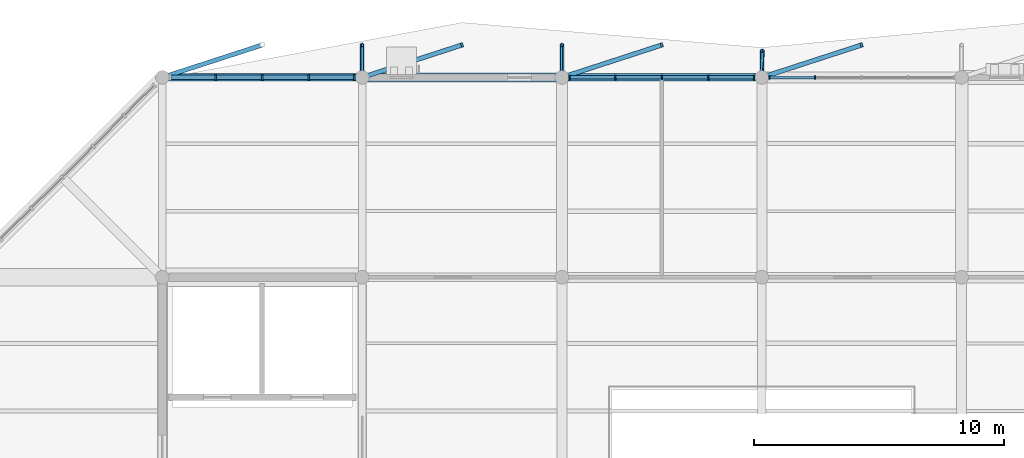
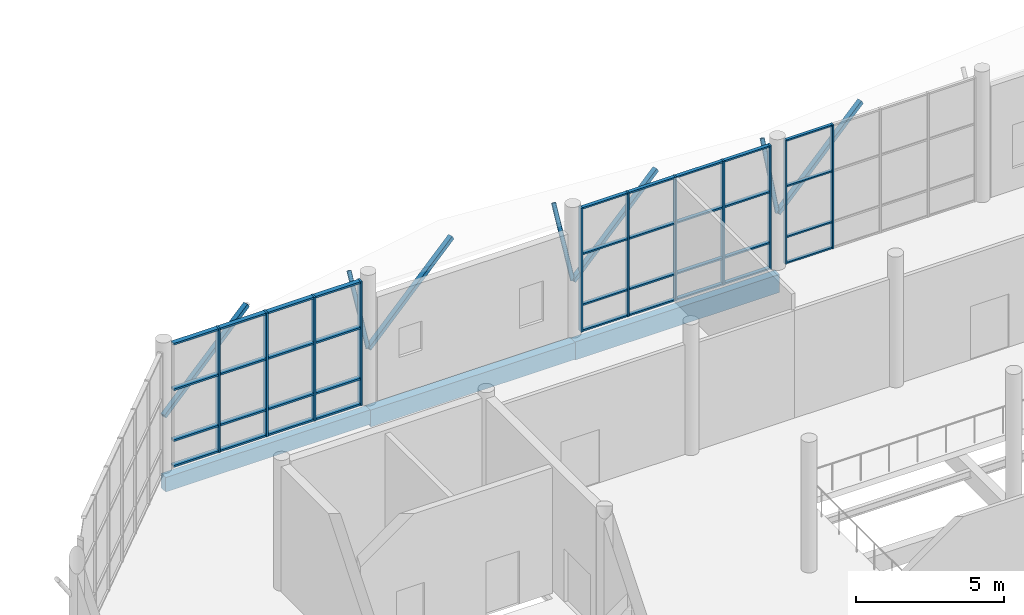
# One storey, part 49 of 122: 54 members, 3 beams, 3 elements without a shape of their own.
"""IFC4 building model written with IfcOpenShell, lengths in metres."""

from ifc_helpers import new_model, si_unit, direction, frame, origin, origin_2d, place, context, subcontext, project, spatial, rectangle, hollow_rectangle, hollow_circle, extrude, material, material_profile, profile_set, type_object, element, aggregate, save


model = new_model("IFC4")

# Units and contexts
model_context = context("Model", 3, precision=1e-05, world=origin(), true_north=direction((0.0, 1.0)))
body_context = subcontext(model_context, "Body", "Model", "MODEL_VIEW")
ifc_project = project(units=[si_unit("LENGTHUNIT", "METRE"), si_unit("AREAUNIT", "SQUARE_METRE"), si_unit("VOLUMEUNIT", "CUBIC_METRE"), si_unit("PLANEANGLEUNIT", "RADIAN"), si_unit("MASSUNIT", "GRAM", prefix="KILO")], contexts=[model_context])

# Site, building, storey
site_placement = place(None, origin())
site = spatial("IfcSite", under=ifc_project, at=site_placement, CompositionType="ELEMENT")
building_placement = place(site_placement, origin())
building = spatial("IfcBuilding", under=site, at=building_placement, Name="Tenunan Teduh Sports Hall", CompositionType="ELEMENT")
storey_placement = place(building_placement, frame((0.0, 0.0, 5.39990234375)))
storey = spatial("IfcBuildingStorey", under=building, at=storey_placement, Name="L01", CompositionType="ELEMENT", Elevation=5.39990234375)

# Beams
ifc_material_1 = material(Name="Concrete C40/50", Category="concrete")
ifc_material_profile_1 = material_profile(ifc_material_1, rectangle(XDim=0.300048828125, YDim=0.60009765625, at=origin_2d()), Name="RCB 300x600")
ifc_profile_set_1 = profile_set([ifc_material_profile_1], Name="Concrete C40/50")
beam_type_1 = type_object("IfcBeamType", Name="BM-RC-300x600", PredefinedType="BEAM", material=ifc_profile_set_1)
beam_1_placement = place(storey_placement, frame((106.0, 118.0, -0.559814453125), z_axis=(1.0, 0.0, 0.0), x_axis=(0.0, 1.0, 0.0)))
element("IfcBeam", 1, at=beam_1_placement, inside=storey, type_object=beam_type_1, Name="BM-B-03-L01-1179", PredefinedType="BEAM", context=body_context, shape_type="SweptSolid", body=[
    extrude(rectangle(XDim=0.300048828125, YDim=0.60009765625, at=origin_2d()), origin(), (0.0, 0.0, 1.0), 8.0),
])
ifc_material_2 = material(Name="Concrete C40/50", Category="concrete")
ifc_material_profile_2 = material_profile(ifc_material_2, rectangle(XDim=0.35009765625, YDim=0.699951171875, at=origin_2d()), Name="RCB 350x700")
ifc_profile_set_2 = profile_set([ifc_material_profile_2], Name="Concrete C40/50")
beam_type_2 = type_object("IfcBeamType", Name="BM-RC-350x700", PredefinedType="BEAM", material=ifc_profile_set_2)
beam_2_placement = place(storey_placement, frame((114.0, 118.0, -0.60986328125), z_axis=(1.0, 0.0, 0.0), x_axis=(0.0, 1.0, 0.0)))
element("IfcBeam", 2, at=beam_2_placement, inside=storey, type_object=beam_type_2, Name="BM-B-06-L01-1180", PredefinedType="BEAM", context=body_context, shape_type="SweptSolid", body=[
    extrude(rectangle(XDim=0.35009765625, YDim=0.699951171875, at=origin_2d()), origin(), (0.0, 0.0, 1.0), 8.0),
])
ifc_material_3 = material(Name="Concrete C40/50", Category="concrete")
ifc_material_profile_3 = material_profile(ifc_material_3, rectangle(XDim=0.300048828125, YDim=0.75, at=origin_2d()), Name="SPB 300x750")
ifc_profile_set_3 = profile_set([ifc_material_profile_3], Name="Concrete C40/50")
beam_type_3 = type_object("IfcBeamType", Name="BM-SP-300x750", PredefinedType="SPANDREL", material=ifc_profile_set_3)
beam_3_placement = place(storey_placement, frame((122.0, 118.0, -0.635009765625), z_axis=(1.0, 0.0, 0.0), x_axis=(0.0, 1.0, 0.0)))
element("IfcBeam", 3, at=beam_3_placement, inside=storey, type_object=beam_type_3, Name="BM-SP-01-L01-1181", PredefinedType="SPANDREL", context=body_context, shape_type="SweptSolid", body=[
    extrude(rectangle(XDim=0.300048828125, YDim=0.75, at=origin_2d()), origin(), (0.0, 0.0, 1.0), 8.0),
])

# Curtain wall, members
ifc_material_4 = material(Name="Anodised aluminium", Category="aluminium")
curtain_wall_type = type_object("IfcCurtainWallType", Name="CW-UNIT-1", PredefinedType="NOTDEFINED", material=ifc_material_4)
curtain_wall_1_placement = place(storey_placement, origin())
curtain_wall_1 = element("IfcCurtainWall", 4, at=curtain_wall_1_placement, inside=storey, type_object=curtain_wall_type, Name="CW-CWM-150-L01-251", PredefinedType="NOTDEFINED")
ifc_material_5 = material(Name="Anodised aluminium", Category="aluminium")
ifc_material_profile_4 = material_profile(ifc_material_5, rectangle(XDim=0.06005859375, YDim=0.14990234375, at=origin_2d()), Name="CWM 60x150")
ifc_profile_set_4 = profile_set([ifc_material_profile_4], Name="Anodised aluminium")
member_type_1 = type_object("IfcMemberType", Name="CWM-150", PredefinedType="MULLION", material=ifc_profile_set_4)
member_1_placement = place(storey_placement, frame((130.304931640625, 118.0, 0.0), z_axis=(0.0, 0.0, 1.0), x_axis=(1.0, 0.0, 0.0)))
member_1 = element("IfcMember", 5, at=member_1_placement, type_object=member_type_1, Name="CW-01 mullion 1", PredefinedType="MULLION", context=body_context, shape_type="SweptSolid", body=[
    extrude(rectangle(XDim=0.06005859375, YDim=0.14990234375, at=origin_2d()), origin(), (0.0, 0.0, 1.0), 5.1201171875),
])
member_2_placement = place(storey_placement, frame((132.137451171875, 118.0, 0.0), z_axis=(0.0, 0.0, 1.0), x_axis=(1.0, 0.0, 0.0)))
member_2 = element("IfcMember", 6, at=member_2_placement, type_object=member_type_1, Name="CW-01 mullion 2", PredefinedType="MULLION", context=body_context, shape_type="SweptSolid", body=[
    extrude(rectangle(XDim=0.06005859375, YDim=0.14990234375, at=origin_2d()), origin(), (0.0, 0.0, 1.0), 5.1201171875),
])

curtain_wall_2_placement = place(storey_placement, origin())
curtain_wall_2 = element("IfcCurtainWall", 7, at=curtain_wall_2_placement, inside=storey, type_object=curtain_wall_type, Name="CW-CWM-175-L01-250", PredefinedType="NOTDEFINED")
ifc_material_6 = material(Name="Anodised aluminium", Category="aluminium")
ifc_material_profile_5 = material_profile(ifc_material_6, rectangle(XDim=0.06494140625, YDim=0.175048828125, at=origin_2d()), Name="CWM 65x175")
ifc_profile_set_5 = profile_set([ifc_material_profile_5], Name="Anodised aluminium")
member_type_2 = type_object("IfcMemberType", Name="CWM-175", PredefinedType="MULLION", material=ifc_profile_set_5)
member_3_placement = place(storey_placement, frame((122.3076171875, 118.0, 0.0), z_axis=(0.0, 0.0, 1.0), x_axis=(1.0, 0.0, 0.0)))
member_3 = element("IfcMember", 8, at=member_3_placement, type_object=member_type_2, Name="CW-01 mullion 1", PredefinedType="MULLION", context=body_context, shape_type="SweptSolid", body=[
    extrude(rectangle(XDim=0.06494140625, YDim=0.175048828125, at=origin_2d()), origin(), (0.0, 0.0, 1.0), 5.1201171875),
])
member_4_placement = place(storey_placement, frame((124.137451171875, 118.0, 0.0), z_axis=(0.0, 0.0, 1.0), x_axis=(1.0, 0.0, 0.0)))
member_4 = element("IfcMember", 9, at=member_4_placement, type_object=member_type_2, Name="CW-01 mullion 2", PredefinedType="MULLION", context=body_context, shape_type="SweptSolid", body=[
    extrude(rectangle(XDim=0.06494140625, YDim=0.175048828125, at=origin_2d()), origin(), (0.0, 0.0, 1.0), 5.1201171875),
])
member_5_placement = place(storey_placement, frame((126.0, 118.0, 0.0), z_axis=(0.0, 0.0, 1.0), x_axis=(1.0, 0.0, 0.0)))
member_5 = element("IfcMember", 10, at=member_5_placement, type_object=member_type_2, Name="CW-01 mullion 3", PredefinedType="MULLION", context=body_context, shape_type="SweptSolid", body=[
    extrude(rectangle(XDim=0.06494140625, YDim=0.175048828125, at=origin_2d()), origin(), (0.0, 0.0, 1.0), 5.1201171875),
])
member_6_placement = place(storey_placement, frame((127.862548828125, 118.0, 0.0), z_axis=(0.0, 0.0, 1.0), x_axis=(1.0, 0.0, 0.0)))
member_6 = element("IfcMember", 11, at=member_6_placement, type_object=member_type_2, Name="CW-01 mullion 4", PredefinedType="MULLION", context=body_context, shape_type="SweptSolid", body=[
    extrude(rectangle(XDim=0.06494140625, YDim=0.175048828125, at=origin_2d()), origin(), (0.0, 0.0, 1.0), 5.1201171875),
])
member_7_placement = place(storey_placement, frame((129.6923828125, 118.0, 0.0), z_axis=(0.0, 0.0, 1.0), x_axis=(1.0, 0.0, 0.0)))
member_7 = element("IfcMember", 12, at=member_7_placement, type_object=member_type_2, Name="CW-01 mullion 5", PredefinedType="MULLION", context=body_context, shape_type="SweptSolid", body=[
    extrude(rectangle(XDim=0.06494140625, YDim=0.175048828125, at=origin_2d()), origin(), (0.0, 0.0, 1.0), 5.1201171875),
])

curtain_wall_3_placement = place(storey_placement, origin())
curtain_wall_3 = element("IfcCurtainWall", 13, at=curtain_wall_3_placement, inside=storey, type_object=curtain_wall_type, Name="CW-CWM-220-L01-249", PredefinedType="NOTDEFINED")
ifc_material_7 = material(Name="Anodised aluminium", Category="aluminium")
ifc_material_profile_6 = material_profile(ifc_material_7, rectangle(XDim=0.074951171875, YDim=0.219970703125, at=origin_2d()), Name="CWM 75x220")
ifc_profile_set_6 = profile_set([ifc_material_profile_6], Name="Anodised aluminium")
member_type_3 = type_object("IfcMemberType", Name="CWM-220", PredefinedType="MULLION", material=ifc_profile_set_6)
member_8_placement = place(storey_placement, frame((108.137451171875, 118.0, 0.0), z_axis=(0.0, 0.0, 1.0), x_axis=(1.0, 0.0, 0.0)))
member_8 = element("IfcMember", 14, at=member_8_placement, type_object=member_type_3, Name="CW-01 mullion 2", PredefinedType="MULLION", context=body_context, shape_type="SweptSolid", body=[
    extrude(rectangle(XDim=0.074951171875, YDim=0.219970703125, at=origin_2d()), origin(), (0.0, 0.0, 1.0), 5.1201171875),
])
member_9_placement = place(storey_placement, frame((110.0, 118.0, 0.0), z_axis=(0.0, 0.0, 1.0), x_axis=(1.0, 0.0, 0.0)))
member_9 = element("IfcMember", 15, at=member_9_placement, type_object=member_type_3, Name="CW-01 mullion 3", PredefinedType="MULLION", context=body_context, shape_type="SweptSolid", body=[
    extrude(rectangle(XDim=0.074951171875, YDim=0.219970703125, at=origin_2d()), origin(), (0.0, 0.0, 1.0), 5.1201171875),
])
member_10_placement = place(storey_placement, frame((111.862548828125, 118.0, 0.0), z_axis=(0.0, 0.0, 1.0), x_axis=(1.0, 0.0, 0.0)))
member_10 = element("IfcMember", 16, at=member_10_placement, type_object=member_type_3, Name="CW-01 mullion 4", PredefinedType="MULLION", context=body_context, shape_type="SweptSolid", body=[
    extrude(rectangle(XDim=0.074951171875, YDim=0.219970703125, at=origin_2d()), origin(), (0.0, 0.0, 1.0), 5.1201171875),
])
member_11_placement = place(storey_placement, frame((113.6875, 118.0, 0.0), z_axis=(0.0, 0.0, 1.0), x_axis=(1.0, 0.0, 0.0)))
member_11 = element("IfcMember", 17, at=member_11_placement, type_object=member_type_3, Name="CW-01 mullion 5", PredefinedType="MULLION", context=body_context, shape_type="SweptSolid", body=[
    extrude(rectangle(XDim=0.074951171875, YDim=0.219970703125, at=origin_2d()), origin(), (0.0, 0.0, 1.0), 5.1201171875),
])

# Member
ifc_material_8 = material(Name="Anodised aluminium", Category="aluminium")
ifc_material_profile_7 = material_profile(ifc_material_8, rectangle(XDim=0.06005859375, YDim=0.1201171875, at=origin_2d()), Name="CWT 60x120")
ifc_profile_set_7 = profile_set([ifc_material_profile_7], Name="Anodised aluminium")
member_type_4 = type_object("IfcMemberType", Name="CWT-125", PredefinedType="USERDEFINED", material=ifc_profile_set_7)
member_12_placement = place(storey_placement, frame((130.3349609375, 118.0, 0.030029296875), z_axis=(1.0, 0.0, 0.0), x_axis=(0.0, 0.0, 1.0)))
member_12 = element("IfcMember", 18, at=member_12_placement, type_object=member_type_4, Name="CW-01 transom 1.1", ObjectType="TRANSOM", PredefinedType="USERDEFINED", context=body_context, shape_type="SweptSolid", body=[
    extrude(rectangle(XDim=0.06005859375, YDim=0.1201171875, at=origin_2d()), origin(), (0.0, 0.0, 1.0), 1.7724609375),
])

member_13_placement = place(storey_placement, frame((130.3349609375, 118.0, 1.10009765625), z_axis=(1.0, 0.0, 0.0), x_axis=(0.0, 0.0, 1.0)))
member_13 = element("IfcMember", 19, at=member_13_placement, type_object=member_type_4, Name="CW-01 transom 1.2", ObjectType="TRANSOM", PredefinedType="USERDEFINED", context=body_context, shape_type="SweptSolid", body=[
    extrude(rectangle(XDim=0.06005859375, YDim=0.1201171875, at=origin_2d()), origin(), (0.0, 0.0, 1.0), 1.7724609375),
])

member_14_placement = place(storey_placement, frame((130.3349609375, 118.0, 3.2001953125), z_axis=(1.0, 0.0, 0.0), x_axis=(0.0, 0.0, 1.0)))
member_14 = element("IfcMember", 20, at=member_14_placement, type_object=member_type_4, Name="CW-01 transom 1.3", ObjectType="TRANSOM", PredefinedType="USERDEFINED", context=body_context, shape_type="SweptSolid", body=[
    extrude(rectangle(XDim=0.06005859375, YDim=0.1201171875, at=origin_2d()), origin(), (0.0, 0.0, 1.0), 1.7724609375),
])

member_15_placement = place(storey_placement, frame((130.3349609375, 118.0, 5.090087890625), z_axis=(1.0, 0.0, 0.0), x_axis=(0.0, 0.0, 1.0)))
member_15 = element("IfcMember", 21, at=member_15_placement, type_object=member_type_4, Name="CW-01 transom 1.4", ObjectType="TRANSOM", PredefinedType="USERDEFINED", context=body_context, shape_type="SweptSolid", body=[
    extrude(rectangle(XDim=0.06005859375, YDim=0.1201171875, at=origin_2d()), origin(), (0.0, 0.0, 1.0), 1.7724609375),
])

aggregate(curtain_wall_1, [member_1, member_2, member_12, member_13, member_14, member_15])

ifc_material_9 = material(Name="Anodised aluminium", Category="aluminium")
ifc_material_profile_8 = material_profile(ifc_material_9, rectangle(XDim=0.06494140625, YDim=0.139892578125, at=origin_2d()), Name="CWT 65x140")
ifc_profile_set_8 = profile_set([ifc_material_profile_8], Name="Anodised aluminium")
member_type_5 = type_object("IfcMemberType", Name="CWT-150", PredefinedType="USERDEFINED", material=ifc_profile_set_8)
member_16_placement = place(storey_placement, frame((122.340087890625, 118.0, 0.03271484375), z_axis=(1.0, 0.0, 0.0), x_axis=(0.0, 0.0, 1.0)))
member_16 = element("IfcMember", 22, at=member_16_placement, type_object=member_type_5, Name="CW-01 transom 1.1", ObjectType="TRANSOM", PredefinedType="USERDEFINED", context=body_context, shape_type="SweptSolid", body=[
    extrude(rectangle(XDim=0.06494140625, YDim=0.139892578125, at=origin_2d()), origin(), (0.0, 0.0, 1.0), 1.764892578125),
])

member_17_placement = place(storey_placement, frame((122.340087890625, 118.0, 1.10009765625), z_axis=(1.0, 0.0, 0.0), x_axis=(0.0, 0.0, 1.0)))
member_17 = element("IfcMember", 23, at=member_17_placement, type_object=member_type_5, Name="CW-01 transom 1.2", ObjectType="TRANSOM", PredefinedType="USERDEFINED", context=body_context, shape_type="SweptSolid", body=[
    extrude(rectangle(XDim=0.06494140625, YDim=0.139892578125, at=origin_2d()), origin(), (0.0, 0.0, 1.0), 1.764892578125),
])

member_18_placement = place(storey_placement, frame((122.340087890625, 118.0, 3.2001953125), z_axis=(1.0, 0.0, 0.0), x_axis=(0.0, 0.0, 1.0)))
member_18 = element("IfcMember", 24, at=member_18_placement, type_object=member_type_5, Name="CW-01 transom 1.3", ObjectType="TRANSOM", PredefinedType="USERDEFINED", context=body_context, shape_type="SweptSolid", body=[
    extrude(rectangle(XDim=0.06494140625, YDim=0.139892578125, at=origin_2d()), origin(), (0.0, 0.0, 1.0), 1.764892578125),
])

member_19_placement = place(storey_placement, frame((122.340087890625, 118.0, 5.087646484375), z_axis=(1.0, 0.0, 0.0), x_axis=(0.0, 0.0, 1.0)))
member_19 = element("IfcMember", 25, at=member_19_placement, type_object=member_type_5, Name="CW-01 transom 1.4", ObjectType="TRANSOM", PredefinedType="USERDEFINED", context=body_context, shape_type="SweptSolid", body=[
    extrude(rectangle(XDim=0.06494140625, YDim=0.139892578125, at=origin_2d()), origin(), (0.0, 0.0, 1.0), 1.764892578125),
])

member_20_placement = place(storey_placement, frame((124.169921875, 118.0, 0.03271484375), z_axis=(1.0, 0.0, 0.0), x_axis=(0.0, 0.0, 1.0)))
member_20 = element("IfcMember", 26, at=member_20_placement, type_object=member_type_5, Name="CW-01 transom 2.1", ObjectType="TRANSOM", PredefinedType="USERDEFINED", context=body_context, shape_type="SweptSolid", body=[
    extrude(rectangle(XDim=0.06494140625, YDim=0.139892578125, at=origin_2d()), origin(), (0.0, 0.0, 1.0), 1.797607421875),
])

member_21_placement = place(storey_placement, frame((124.169921875, 118.0, 1.10009765625), z_axis=(1.0, 0.0, 0.0), x_axis=(0.0, 0.0, 1.0)))
member_21 = element("IfcMember", 27, at=member_21_placement, type_object=member_type_5, Name="CW-01 transom 2.2", ObjectType="TRANSOM", PredefinedType="USERDEFINED", context=body_context, shape_type="SweptSolid", body=[
    extrude(rectangle(XDim=0.06494140625, YDim=0.139892578125, at=origin_2d()), origin(), (0.0, 0.0, 1.0), 1.797607421875),
])

member_22_placement = place(storey_placement, frame((124.169921875, 118.0, 3.2001953125), z_axis=(1.0, 0.0, 0.0), x_axis=(0.0, 0.0, 1.0)))
member_22 = element("IfcMember", 28, at=member_22_placement, type_object=member_type_5, Name="CW-01 transom 2.3", ObjectType="TRANSOM", PredefinedType="USERDEFINED", context=body_context, shape_type="SweptSolid", body=[
    extrude(rectangle(XDim=0.06494140625, YDim=0.139892578125, at=origin_2d()), origin(), (0.0, 0.0, 1.0), 1.797607421875),
])

member_23_placement = place(storey_placement, frame((124.169921875, 118.0, 5.087646484375), z_axis=(1.0, 0.0, 0.0), x_axis=(0.0, 0.0, 1.0)))
member_23 = element("IfcMember", 29, at=member_23_placement, type_object=member_type_5, Name="CW-01 transom 2.4", ObjectType="TRANSOM", PredefinedType="USERDEFINED", context=body_context, shape_type="SweptSolid", body=[
    extrude(rectangle(XDim=0.06494140625, YDim=0.139892578125, at=origin_2d()), origin(), (0.0, 0.0, 1.0), 1.797607421875),
])

member_24_placement = place(storey_placement, frame((126.032470703125, 118.0, 0.03271484375), z_axis=(1.0, 0.0, 0.0), x_axis=(0.0, 0.0, 1.0)))
member_24 = element("IfcMember", 30, at=member_24_placement, type_object=member_type_5, Name="CW-01 transom 3.1", ObjectType="TRANSOM", PredefinedType="USERDEFINED", context=body_context, shape_type="SweptSolid", body=[
    extrude(rectangle(XDim=0.06494140625, YDim=0.139892578125, at=origin_2d()), origin(), (0.0, 0.0, 1.0), 1.797607421875),
])

member_25_placement = place(storey_placement, frame((126.032470703125, 118.0, 1.10009765625), z_axis=(1.0, 0.0, 0.0), x_axis=(0.0, 0.0, 1.0)))
member_25 = element("IfcMember", 31, at=member_25_placement, type_object=member_type_5, Name="CW-01 transom 3.2", ObjectType="TRANSOM", PredefinedType="USERDEFINED", context=body_context, shape_type="SweptSolid", body=[
    extrude(rectangle(XDim=0.06494140625, YDim=0.139892578125, at=origin_2d()), origin(), (0.0, 0.0, 1.0), 1.797607421875),
])

member_26_placement = place(storey_placement, frame((126.032470703125, 118.0, 3.2001953125), z_axis=(1.0, 0.0, 0.0), x_axis=(0.0, 0.0, 1.0)))
member_26 = element("IfcMember", 32, at=member_26_placement, type_object=member_type_5, Name="CW-01 transom 3.3", ObjectType="TRANSOM", PredefinedType="USERDEFINED", context=body_context, shape_type="SweptSolid", body=[
    extrude(rectangle(XDim=0.06494140625, YDim=0.139892578125, at=origin_2d()), origin(), (0.0, 0.0, 1.0), 1.797607421875),
])

member_27_placement = place(storey_placement, frame((126.032470703125, 118.0, 5.087646484375), z_axis=(1.0, 0.0, 0.0), x_axis=(0.0, 0.0, 1.0)))
member_27 = element("IfcMember", 33, at=member_27_placement, type_object=member_type_5, Name="CW-01 transom 3.4", ObjectType="TRANSOM", PredefinedType="USERDEFINED", context=body_context, shape_type="SweptSolid", body=[
    extrude(rectangle(XDim=0.06494140625, YDim=0.139892578125, at=origin_2d()), origin(), (0.0, 0.0, 1.0), 1.797607421875),
])

member_28_placement = place(storey_placement, frame((127.89501953125, 118.0, 0.03271484375), z_axis=(1.0, 0.0, 0.0), x_axis=(0.0, 0.0, 1.0)))
member_28 = element("IfcMember", 34, at=member_28_placement, type_object=member_type_5, Name="CW-01 transom 4.1", ObjectType="TRANSOM", PredefinedType="USERDEFINED", context=body_context, shape_type="SweptSolid", body=[
    extrude(rectangle(XDim=0.06494140625, YDim=0.139892578125, at=origin_2d()), origin(), (0.0, 0.0, 1.0), 1.764892578125),
])

member_29_placement = place(storey_placement, frame((127.89501953125, 118.0, 1.10009765625), z_axis=(1.0, 0.0, 0.0), x_axis=(0.0, 0.0, 1.0)))
member_29 = element("IfcMember", 35, at=member_29_placement, type_object=member_type_5, Name="CW-01 transom 4.2", ObjectType="TRANSOM", PredefinedType="USERDEFINED", context=body_context, shape_type="SweptSolid", body=[
    extrude(rectangle(XDim=0.06494140625, YDim=0.139892578125, at=origin_2d()), origin(), (0.0, 0.0, 1.0), 1.764892578125),
])

member_30_placement = place(storey_placement, frame((127.89501953125, 118.0, 3.2001953125), z_axis=(1.0, 0.0, 0.0), x_axis=(0.0, 0.0, 1.0)))
member_30 = element("IfcMember", 36, at=member_30_placement, type_object=member_type_5, Name="CW-01 transom 4.3", ObjectType="TRANSOM", PredefinedType="USERDEFINED", context=body_context, shape_type="SweptSolid", body=[
    extrude(rectangle(XDim=0.06494140625, YDim=0.139892578125, at=origin_2d()), origin(), (0.0, 0.0, 1.0), 1.764892578125),
])

member_31_placement = place(storey_placement, frame((127.89501953125, 118.0, 5.087646484375), z_axis=(1.0, 0.0, 0.0), x_axis=(0.0, 0.0, 1.0)))
member_31 = element("IfcMember", 37, at=member_31_placement, type_object=member_type_5, Name="CW-01 transom 4.4", ObjectType="TRANSOM", PredefinedType="USERDEFINED", context=body_context, shape_type="SweptSolid", body=[
    extrude(rectangle(XDim=0.06494140625, YDim=0.139892578125, at=origin_2d()), origin(), (0.0, 0.0, 1.0), 1.764892578125),
])

aggregate(curtain_wall_2, [member_3, member_4, member_5, member_6, member_7, member_16, member_17, member_18, member_19, member_20, member_21, member_22, member_23, member_24, member_25, member_26, member_27, member_28, member_29, member_30, member_31])

ifc_material_10 = material(Name="Anodised aluminium", Category="aluminium")
ifc_material_profile_9 = material_profile(ifc_material_10, rectangle(XDim=0.074951171875, YDim=0.179931640625, at=origin_2d()), Name="CWT 75x180")
ifc_profile_set_9 = profile_set([ifc_material_profile_9], Name="Anodised aluminium")
member_type_6 = type_object("IfcMemberType", Name="CWT-180", PredefinedType="USERDEFINED", material=ifc_profile_set_9)
member_32_placement = place(storey_placement, frame((106.35009765625, 118.0, 0.03759765625), z_axis=(1.0, 0.0, 0.0), x_axis=(0.0, 0.0, 1.0)))
member_32 = element("IfcMember", 38, at=member_32_placement, type_object=member_type_6, Name="CW-01 transom 1.1", ObjectType="TRANSOM", PredefinedType="USERDEFINED", context=body_context, shape_type="SweptSolid", body=[
    extrude(rectangle(XDim=0.074951171875, YDim=0.179931640625, at=origin_2d()), origin(), (0.0, 0.0, 1.0), 1.75),
])

member_33_placement = place(storey_placement, frame((106.35009765625, 118.0, 1.10009765625), z_axis=(1.0, 0.0, 0.0), x_axis=(0.0, 0.0, 1.0)))
member_33 = element("IfcMember", 39, at=member_33_placement, type_object=member_type_6, Name="CW-01 transom 1.2", ObjectType="TRANSOM", PredefinedType="USERDEFINED", context=body_context, shape_type="SweptSolid", body=[
    extrude(rectangle(XDim=0.074951171875, YDim=0.179931640625, at=origin_2d()), origin(), (0.0, 0.0, 1.0), 1.75),
])

member_34_placement = place(storey_placement, frame((106.35009765625, 118.0, 3.2001953125), z_axis=(1.0, 0.0, 0.0), x_axis=(0.0, 0.0, 1.0)))
member_34 = element("IfcMember", 40, at=member_34_placement, type_object=member_type_6, Name="CW-01 transom 1.3", ObjectType="TRANSOM", PredefinedType="USERDEFINED", context=body_context, shape_type="SweptSolid", body=[
    extrude(rectangle(XDim=0.074951171875, YDim=0.179931640625, at=origin_2d()), origin(), (0.0, 0.0, 1.0), 1.75),
])

member_35_placement = place(storey_placement, frame((106.35009765625, 118.0, 5.08251953125), z_axis=(1.0, 0.0, 0.0), x_axis=(0.0, 0.0, 1.0)))
member_35 = element("IfcMember", 41, at=member_35_placement, type_object=member_type_6, Name="CW-01 transom 1.4", ObjectType="TRANSOM", PredefinedType="USERDEFINED", context=body_context, shape_type="SweptSolid", body=[
    extrude(rectangle(XDim=0.074951171875, YDim=0.179931640625, at=origin_2d()), origin(), (0.0, 0.0, 1.0), 1.75),
])

member_36_placement = place(storey_placement, frame((108.175048828125, 118.0, 0.03759765625), z_axis=(1.0, 0.0, 0.0), x_axis=(0.0, 0.0, 1.0)))
member_36 = element("IfcMember", 42, at=member_36_placement, type_object=member_type_6, Name="CW-01 transom 2.1", ObjectType="TRANSOM", PredefinedType="USERDEFINED", context=body_context, shape_type="SweptSolid", body=[
    extrude(rectangle(XDim=0.074951171875, YDim=0.179931640625, at=origin_2d()), origin(), (0.0, 0.0, 1.0), 1.787353515625),
])

member_37_placement = place(storey_placement, frame((108.175048828125, 118.0, 1.10009765625), z_axis=(1.0, 0.0, 0.0), x_axis=(0.0, 0.0, 1.0)))
member_37 = element("IfcMember", 43, at=member_37_placement, type_object=member_type_6, Name="CW-01 transom 2.2", ObjectType="TRANSOM", PredefinedType="USERDEFINED", context=body_context, shape_type="SweptSolid", body=[
    extrude(rectangle(XDim=0.074951171875, YDim=0.179931640625, at=origin_2d()), origin(), (0.0, 0.0, 1.0), 1.787353515625),
])

member_38_placement = place(storey_placement, frame((108.175048828125, 118.0, 3.2001953125), z_axis=(1.0, 0.0, 0.0), x_axis=(0.0, 0.0, 1.0)))
member_38 = element("IfcMember", 44, at=member_38_placement, type_object=member_type_6, Name="CW-01 transom 2.3", ObjectType="TRANSOM", PredefinedType="USERDEFINED", context=body_context, shape_type="SweptSolid", body=[
    extrude(rectangle(XDim=0.074951171875, YDim=0.179931640625, at=origin_2d()), origin(), (0.0, 0.0, 1.0), 1.787353515625),
])

member_39_placement = place(storey_placement, frame((108.175048828125, 118.0, 5.08251953125), z_axis=(1.0, 0.0, 0.0), x_axis=(0.0, 0.0, 1.0)))
member_39 = element("IfcMember", 45, at=member_39_placement, type_object=member_type_6, Name="CW-01 transom 2.4", ObjectType="TRANSOM", PredefinedType="USERDEFINED", context=body_context, shape_type="SweptSolid", body=[
    extrude(rectangle(XDim=0.074951171875, YDim=0.179931640625, at=origin_2d()), origin(), (0.0, 0.0, 1.0), 1.787353515625),
])

member_40_placement = place(storey_placement, frame((110.03759765625, 118.0, 0.03759765625), z_axis=(1.0, 0.0, 0.0), x_axis=(0.0, 0.0, 1.0)))
member_40 = element("IfcMember", 46, at=member_40_placement, type_object=member_type_6, Name="CW-01 transom 3.1", ObjectType="TRANSOM", PredefinedType="USERDEFINED", context=body_context, shape_type="SweptSolid", body=[
    extrude(rectangle(XDim=0.074951171875, YDim=0.179931640625, at=origin_2d()), origin(), (0.0, 0.0, 1.0), 1.787353515625),
])

member_41_placement = place(storey_placement, frame((110.03759765625, 118.0, 1.10009765625), z_axis=(1.0, 0.0, 0.0), x_axis=(0.0, 0.0, 1.0)))
member_41 = element("IfcMember", 47, at=member_41_placement, type_object=member_type_6, Name="CW-01 transom 3.2", ObjectType="TRANSOM", PredefinedType="USERDEFINED", context=body_context, shape_type="SweptSolid", body=[
    extrude(rectangle(XDim=0.074951171875, YDim=0.179931640625, at=origin_2d()), origin(), (0.0, 0.0, 1.0), 1.787353515625),
])

member_42_placement = place(storey_placement, frame((110.03759765625, 118.0, 3.2001953125), z_axis=(1.0, 0.0, 0.0), x_axis=(0.0, 0.0, 1.0)))
member_42 = element("IfcMember", 48, at=member_42_placement, type_object=member_type_6, Name="CW-01 transom 3.3", ObjectType="TRANSOM", PredefinedType="USERDEFINED", context=body_context, shape_type="SweptSolid", body=[
    extrude(rectangle(XDim=0.074951171875, YDim=0.179931640625, at=origin_2d()), origin(), (0.0, 0.0, 1.0), 1.787353515625),
])

member_43_placement = place(storey_placement, frame((110.03759765625, 118.0, 5.08251953125), z_axis=(1.0, 0.0, 0.0), x_axis=(0.0, 0.0, 1.0)))
member_43 = element("IfcMember", 49, at=member_43_placement, type_object=member_type_6, Name="CW-01 transom 3.4", ObjectType="TRANSOM", PredefinedType="USERDEFINED", context=body_context, shape_type="SweptSolid", body=[
    extrude(rectangle(XDim=0.074951171875, YDim=0.179931640625, at=origin_2d()), origin(), (0.0, 0.0, 1.0), 1.787353515625),
])

member_44_placement = place(storey_placement, frame((111.89990234375, 118.0, 0.03759765625), z_axis=(1.0, 0.0, 0.0), x_axis=(0.0, 0.0, 1.0)))
member_44 = element("IfcMember", 50, at=member_44_placement, type_object=member_type_6, Name="CW-01 transom 4.1", ObjectType="TRANSOM", PredefinedType="USERDEFINED", context=body_context, shape_type="SweptSolid", body=[
    extrude(rectangle(XDim=0.074951171875, YDim=0.179931640625, at=origin_2d()), origin(), (0.0, 0.0, 1.0), 1.75),
])

member_45_placement = place(storey_placement, frame((111.89990234375, 118.0, 1.10009765625), z_axis=(1.0, 0.0, 0.0), x_axis=(0.0, 0.0, 1.0)))
member_45 = element("IfcMember", 51, at=member_45_placement, type_object=member_type_6, Name="CW-01 transom 4.2", ObjectType="TRANSOM", PredefinedType="USERDEFINED", context=body_context, shape_type="SweptSolid", body=[
    extrude(rectangle(XDim=0.074951171875, YDim=0.179931640625, at=origin_2d()), origin(), (0.0, 0.0, 1.0), 1.75),
])

member_46_placement = place(storey_placement, frame((111.89990234375, 118.0, 3.2001953125), z_axis=(1.0, 0.0, 0.0), x_axis=(0.0, 0.0, 1.0)))
member_46 = element("IfcMember", 52, at=member_46_placement, type_object=member_type_6, Name="CW-01 transom 4.3", ObjectType="TRANSOM", PredefinedType="USERDEFINED", context=body_context, shape_type="SweptSolid", body=[
    extrude(rectangle(XDim=0.074951171875, YDim=0.179931640625, at=origin_2d()), origin(), (0.0, 0.0, 1.0), 1.75),
])

member_47_placement = place(storey_placement, frame((111.89990234375, 118.0, 5.08251953125), z_axis=(1.0, 0.0, 0.0), x_axis=(0.0, 0.0, 1.0)))
member_47 = element("IfcMember", 53, at=member_47_placement, type_object=member_type_6, Name="CW-01 transom 4.4", ObjectType="TRANSOM", PredefinedType="USERDEFINED", context=body_context, shape_type="SweptSolid", body=[
    extrude(rectangle(XDim=0.074951171875, YDim=0.179931640625, at=origin_2d()), origin(), (0.0, 0.0, 1.0), 1.75),
])

aggregate(curtain_wall_3, [member_8, member_9, member_10, member_11, member_32, member_33, member_34, member_35, member_36, member_37, member_38, member_39, member_40, member_41, member_42, member_43, member_44, member_45, member_46, member_47])

# Members
ifc_material_11 = material(Name="Steel S355", Category="steel")
ifc_material_profile_10 = material_profile(ifc_material_11, hollow_circle(Radius=0.084228515625, WallThickness=0.008056640625, at=origin_2d()), Name="CHS 168.3x8.0")
ifc_profile_set_10 = profile_set([ifc_material_profile_10], Name="Steel S355")
member_type_7 = type_object("IfcMemberType", Name="MEM-BR-CHS168", PredefinedType="BRACE", material=ifc_profile_set_10)
for number, where, z_axis, x_axis, name in (
    (54, (114.0, 118.0, 2.2001953125), (0.0, 0.473256928489, 0.880924446044), (-1.0, 0.0, 0.0), "MEM-GD-04-L01-1213"),
    (55, (122.0, 118.0, 2.2001953125), (0.0, 0.473256928489, 0.880924446044), (-1.0, 0.0, 0.0), "MEM-GD-04-L01-1217"),
):
    element("IfcMember", number, at=place(storey_placement, frame(where, z_axis=z_axis, x_axis=x_axis)), inside=storey, type_object=member_type_7, Name=name, PredefinedType="BRACE", context=body_context, shape_type="SweptSolid", body=[
        extrude(hollow_circle(Radius=0.084228515625, WallThickness=0.008056640625, at=origin_2d()), origin(), (0.0, 0.0, 1.0), 2.7470703125),
    ])
member_48_placement = place(storey_placement, frame((130.0, 118.0, 2.2001953125), z_axis=(0.00793344147, 0.404790013633, 0.914375254132), x_axis=(-0.999807996752, 0.019595143054, 0.0)))
element("IfcMember", 56, at=member_48_placement, inside=storey, type_object=member_type_7, Name="MEM-GD-04-L01-1221", PredefinedType="BRACE", context=body_context, shape_type="SweptSolid", body=[
    extrude(hollow_circle(Radius=0.084228515625, WallThickness=0.008056640625, at=origin_2d()), origin(), (0.0, 0.0, 1.0), 2.646484375),
])
ifc_material_12 = material(Name="Steel S355", Category="steel")
ifc_material_profile_11 = material_profile(ifc_material_12, hollow_rectangle(XDim=0.179931640625, YDim=0.179931640625, WallThickness=0.010009765625, at=origin_2d()), Name="SHS 180x180x10.0")
ifc_profile_set_11 = profile_set([ifc_material_profile_11], Name="Steel S355")
member_type_8 = type_object("IfcMemberType", Name="MEM-ST-SHS180", PredefinedType="STRUT", material=ifc_profile_set_11)
for number, where, z_axis, x_axis, name in (
    (57, (106.0, 118.0, 2.2001953125), (0.824327994458, 0.267916660796, 0.498702336491), (-0.309096572498, 0.951030656115, 0.0), "MEM-VS-03-L01-1212"),
    (58, (114.0, 118.0, 2.2001953125), (0.824327994458, 0.267916660796, 0.498702336491), (-0.309096572498, 0.951030656115, 0.0), "MEM-VS-03-L01-1216"),
    (59, (122.0, 118.0, 2.2001953125), (0.824327994458, 0.267916660796, 0.498702336491), (-0.309096572498, 0.951030656115, 0.0), "MEM-VS-03-L01-1220"),
    (60, (130.0, 118.0, 2.2001953125), (0.824327994458, 0.267916660796, 0.498702336491), (-0.309096572498, 0.951030656115, 0.0), "MEM-VS-03-L01-1224"),
):
    element("IfcMember", number, at=place(storey_placement, frame(where, z_axis=z_axis, x_axis=x_axis)), inside=storey, type_object=member_type_8, Name=name, PredefinedType="STRUT", context=body_context, shape_type="SweptSolid", body=[
        extrude(hollow_rectangle(XDim=0.179931640625, YDim=0.179931640625, WallThickness=0.010009765625, at=origin_2d()), origin(), (0.0, 0.0, 1.0), 4.8525390625),
    ])

save(model, "model.ifc")
